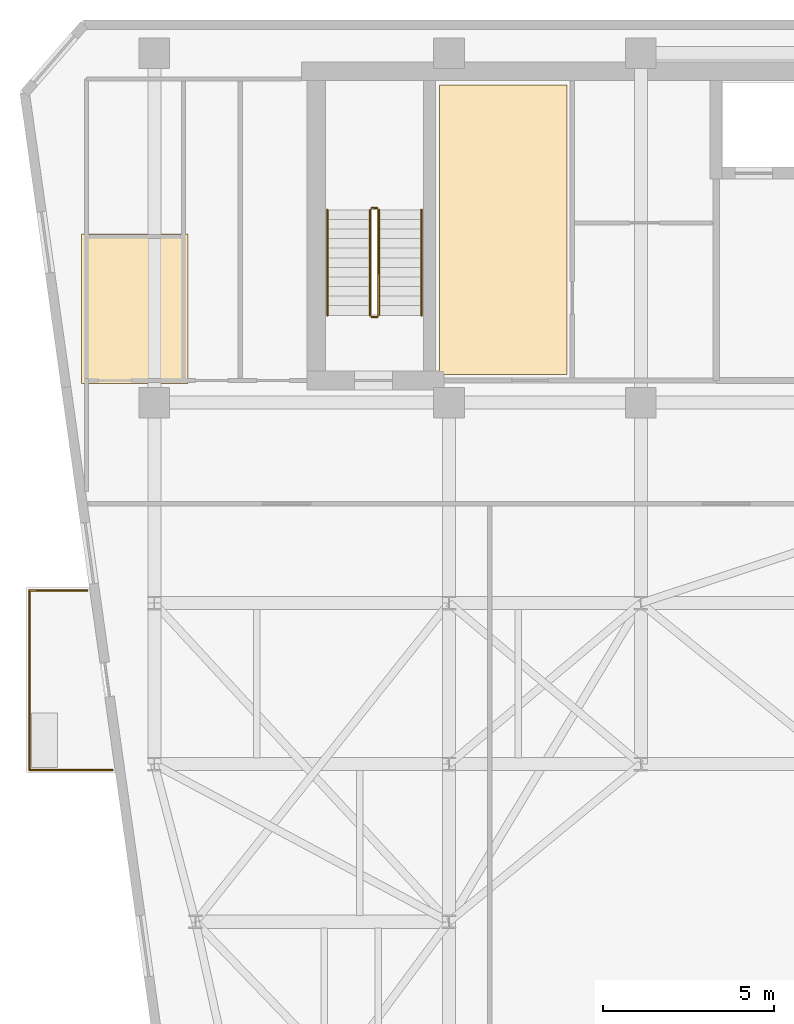
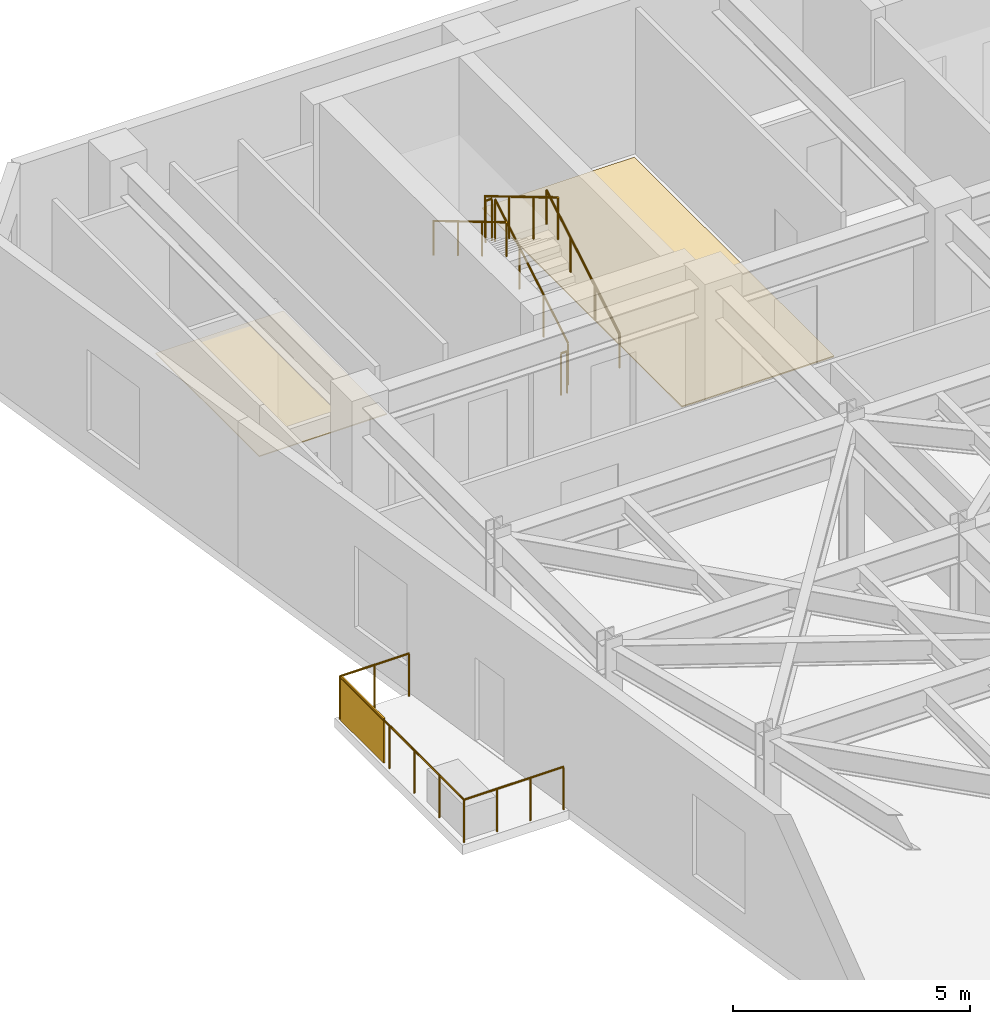
# One storey, part 19 of 21: 9 railings, 2 coverings, 1 shading device.
"""IFC4 building model written with IfcOpenShell, lengths in metres."""

from ifc_helpers import new_model, si_unit, direction, frame, origin, origin_2d, place, context, subcontext, project, spatial, polyline, rectangle, circle, outline, extrude, material, layer, layer_set, type_object, element, save


model = new_model("IFC4")

# Units and contexts
model_context = context("Model", 3, precision=1e-05, world=origin(), true_north=direction((0.0, 1.0)))
body_context = subcontext(model_context, "Body", "Model", "MODEL_VIEW")
ifc_project = project(units=[si_unit("LENGTHUNIT", "METRE"), si_unit("AREAUNIT", "SQUARE_METRE"), si_unit("VOLUMEUNIT", "CUBIC_METRE"), si_unit("PLANEANGLEUNIT", "RADIAN"), si_unit("MASSUNIT", "GRAM", prefix="KILO")], contexts=[model_context])

# Site, building, storey
site_placement = place(None, origin())
site = spatial("IfcSite", under=ifc_project, at=site_placement, CompositionType="ELEMENT")
building_placement = place(site_placement, origin())
building = spatial("IfcBuilding", under=site, at=building_placement, Name="Kravanh Interchange Tower", CompositionType="ELEMENT")
storey_placement = place(building_placement, frame((0.0, 0.0, 200.5)))
storey = spatial("IfcBuildingStorey", under=building, at=storey_placement, Name="L48", CompositionType="ELEMENT", Elevation=200.5)

# Coverings
ifc_material_1 = material(Name="Cementitious Terrazzo Tile")
ifc_layer_1 = layer(ifc_material_1, 0.030029296875)
ifc_layer_set_1 = layer_set([ifc_layer_1], Name="Honed Terrazzo Lobby Flooring 30mm")
covering_type_1 = type_object("IfcCoveringType", Name="Honed Terrazzo Lobby Flooring 30mm", PredefinedType="FLOORING", material=ifc_layer_set_1)
covering_1_placement = place(storey_placement, origin())
element("IfcCovering", 1, at=covering_1_placement, inside=storey, type_object=covering_type_1, Name="L48 Staff Break and Coffee Room Floor Finish", PredefinedType="FLOORING", context=body_context, shape_type="SweptSolid", body=[
    extrude(outline(polyline([(26.929931640625, 46.6201171875), (30.639892578125, 46.6201171875), (30.639892578125, 38.179931640625), (26.929931640625, 38.179931640625), (26.929931640625, 46.6201171875)])), origin(), (0.0, 0.0, 1.0), 0.030029296875),
])
ifc_material_2 = material(Name="Acoustic Mineral Fibre Tile on Aluminium Grid", Category="aluminium")
ifc_layer_2 = layer(ifc_material_2, 0.02490234375)
ifc_layer_set_2 = layer_set([ifc_layer_2], Name="Perforated Acoustic Mineral Ceiling 25mm")
covering_type_2 = type_object("IfcCoveringType", Name="Perforated Acoustic Mineral Ceiling 25mm", PredefinedType="CEILING", material=ifc_layer_set_2)
covering_2_placement = place(storey_placement, frame((0.0, 0.0, 2.550048828125)))
element("IfcCovering", 2, at=covering_2_placement, inside=storey, type_object=covering_type_2, Name="L48 Accessible WC Suspended Ceiling", PredefinedType="CEILING", context=body_context, shape_type="SweptSolid", body=[
    extrude(outline(polyline([(19.590087890625, 42.280029296875), (19.590087890625, 37.909912109375), (16.47998046875, 37.909912109375), (16.47998046875, 42.280029296875), (19.590087890625, 42.280029296875)])), origin(), (0.0, 0.0, 1.0), 0.02490234375),
])

# Shading device
ifc_material_3 = material(Name="Perforated Anodised Bronze Aluminium", Category="aluminium")
ifc_layer_3 = layer(ifc_material_3, 0.0400390625)
ifc_layer_set_3 = layer_set([ifc_layer_3], Name="Perforated Bronze Balcony Privacy Screen 1150mm")
shading_device_type = type_object("IfcShadingDeviceType", Name="Perforated Bronze Balcony Privacy Screen 1150mm", PredefinedType="USERDEFINED", material=ifc_layer_set_3)
shading_device_placement = place(storey_placement, frame((14.9560546875, 30.89990234375, 0.0), z_axis=(0.0, 0.0, 1.0), x_axis=(1.0, 0.0, 0.0)))
element("IfcShadingDevice", 3, at=shading_device_placement, inside=storey, type_object=shading_device_type, Name="L48 W Perforated Bronze BALCONY SCREEN", ObjectType="SCREEN", PredefinedType="USERDEFINED", context=body_context, shape_type="SweptSolid", body=[
    extrude(rectangle(XDim=0.0400390625, YDim=1.800048828125, at=origin_2d()), origin(), (0.0, 0.0, 1.0), 1.14990234375),
])

# Railings
ifc_material_4 = material(Name="Stainless Steel 316", Category="steel")
ifc_layer_4 = layer(ifc_material_4, 0.06005859375)
ifc_layer_set_4 = layer_set([ifc_layer_4], Name="Perimeter Balcony and Terrace Guardrail Stainless 316 1120mm")
railing_type_1 = type_object("IfcRailingType", Name="Perimeter Balcony and Terrace Guardrail Stainless 316 1120mm", PredefinedType="GUARDRAIL", material=ifc_layer_set_4)
railing_1_placement = place(storey_placement, frame((14.9560546875, 26.6298828125, 0.0)))
element("IfcRailing", 4, at=railing_1_placement, inside=storey, type_object=railing_type_1, Name="L48 W Balcony Guardrail 1", PredefinedType="GUARDRAIL", context=body_context, shape_type="SweptSolid", body=[
    extrude(circle(Radius=0.02392578125, at=origin_2d()), frame((0.0, 0.0, 1.09619140625), z_axis=(0.0, 1.0, 0.0), x_axis=(-1.0, 0.0, 0.0)), (0.0, 0.0, 1.0), 5.240234375),
    extrude(circle(Radius=0.02099609375, at=origin_2d()), origin(), (0.0, 0.0, 1.0), 1.072021484375),
    extrude(circle(Radius=0.02099609375, at=origin_2d()), frame((0.0, 1.048095703125, 0.0)), (0.0, 0.0, 1.0), 1.072021484375),
    extrude(circle(Radius=0.02099609375, at=origin_2d()), frame((0.0, 2.09619140625, 0.0)), (0.0, 0.0, 1.0), 1.072021484375),
    extrude(circle(Radius=0.02099609375, at=origin_2d()), frame((0.0, 3.14404296875, 0.0)), (0.0, 0.0, 1.0), 1.072021484375),
    extrude(circle(Radius=0.02099609375, at=origin_2d()), frame((0.0, 4.192138671875, 0.0)), (0.0, 0.0, 1.0), 1.072021484375),
    extrude(circle(Radius=0.02099609375, at=origin_2d()), frame((0.0, 5.240234375, 0.0)), (0.0, 0.0, 1.0), 1.072021484375),
])
railing_2_placement = place(storey_placement, frame((14.9560546875, 31.8701171875, 0.0)))
element("IfcRailing", 5, at=railing_2_placement, inside=storey, type_object=railing_type_1, Name="L48 W Balcony Guardrail 2", PredefinedType="GUARDRAIL", context=body_context, shape_type="SweptSolid", body=[
    extrude(circle(Radius=0.02392578125, at=origin_2d()), frame((0.0, 0.0, 1.09619140625), z_axis=(1.0, 0.0, 0.0), x_axis=(0.0, 1.0, 0.0)), (0.0, 0.0, 1.0), 1.685302734375),
    extrude(circle(Radius=0.02099609375, at=origin_2d()), origin(), (0.0, 0.0, 1.0), 1.072021484375),
    extrude(circle(Radius=0.02099609375, at=origin_2d()), frame((0.8427734375, 0.0, 0.0)), (0.0, 0.0, 1.0), 1.072021484375),
    extrude(circle(Radius=0.02099609375, at=origin_2d()), frame((1.685302734375, 0.0, 0.0)), (0.0, 0.0, 1.0), 1.072021484375),
])
railing_3_placement = place(storey_placement, frame((17.377685546875, 26.6298828125, 0.0)))
element("IfcRailing", 6, at=railing_3_placement, inside=storey, type_object=railing_type_1, Name="L48 W Balcony Guardrail 3", PredefinedType="GUARDRAIL", context=body_context, shape_type="SweptSolid", body=[
    extrude(circle(Radius=0.02392578125, at=origin_2d()), frame((0.0, 0.0, 1.09619140625), z_axis=(-1.0, 0.0, 0.0), x_axis=(0.0, -1.0, 0.0)), (0.0, 0.0, 1.0), 2.421630859375),
    extrude(circle(Radius=0.02099609375, at=origin_2d()), origin(), (0.0, 0.0, 1.0), 1.072021484375),
    extrude(circle(Radius=0.02099609375, at=origin_2d()), frame((-0.80712890625, 0.0, 0.0)), (0.0, 0.0, 1.0), 1.072021484375),
    extrude(circle(Radius=0.02099609375, at=origin_2d()), frame((-1.614501953125, 0.0, 0.0)), (0.0, 0.0, 1.0), 1.072021484375),
    extrude(circle(Radius=0.02099609375, at=origin_2d()), frame((-2.421630859375, 0.0, 0.0)), (0.0, 0.0, 1.0), 1.072021484375),
])
ifc_material_5 = material(Name="Structural Steel S355", Category="steel")
ifc_layer_5 = layer(ifc_material_5, 0.050048828125)
ifc_layer_set_5 = layer_set([ifc_layer_5], Name="Stair Well Guardrail Structural Steel S355 1100mm")
railing_type_2 = type_object("IfcRailingType", Name="Stair Well Guardrail Structural Steel S355 1100mm", PredefinedType="GUARDRAIL", material=ifc_layer_set_5)
railing_4_placement = place(storey_placement, frame((25.14990234375, 39.89990234375, 0.166748046875)))
element("IfcRailing", 7, at=railing_4_placement, inside=storey, type_object=railing_type_2, Name="L48 ST3 stair guard 1", PredefinedType="GUARDRAIL", context=body_context, shape_type="SweptSolid", body=[
    extrude(circle(Radius=0.02392578125, at=origin_2d()), frame((0.0, 0.0, 1.076171875), z_axis=(0.0, 0.859308565015, 0.511457515432), x_axis=(-1.0, 0.0, 0.0)), (0.0, 0.0, 1.0), 3.58447265625),
    extrude(circle(Radius=0.02099609375, at=origin_2d()), origin(), (0.0, 0.0, 1.0), 1.052001953125),
    extrude(circle(Radius=0.02099609375, at=origin_2d()), frame((0.0, 1.026611328125, 0.611083984375)), (0.0, 0.0, 1.0), 1.052001953125),
    extrude(circle(Radius=0.02099609375, at=origin_2d()), frame((0.0, 2.053466796875, 1.22216796875)), (0.0, 0.0, 1.0), 1.052001953125),
    extrude(circle(Radius=0.02099609375, at=origin_2d()), frame((0.0, 3.080078125, 1.833251953125)), (0.0, 0.0, 1.0), 1.052001953125),
])
railing_5_placement = place(storey_placement, frame((25.10009765625, 43.030029296875, 2.0)))
element("IfcRailing", 8, at=railing_5_placement, inside=storey, type_object=railing_type_2, Name="L48 ST3 stair guard 2", PredefinedType="GUARDRAIL", context=body_context, shape_type="SweptSolid", body=[
    extrude(circle(Radius=0.02392578125, at=origin_2d()), frame((0.0, 0.0, 1.076171875), z_axis=(-1.0, 0.0, 0.0), x_axis=(0.0, -1.0, 0.0)), (0.0, 0.0, 1.0), 0.150146484375),
    extrude(circle(Radius=0.02099609375, at=origin_2d()), origin(), (0.0, 0.0, 1.0), 1.052001953125),
    extrude(circle(Radius=0.02099609375, at=origin_2d()), frame((-0.150146484375, 0.0, 0.0)), (0.0, 0.0, 1.0), 1.052001953125),
])
railing_6_placement = place(storey_placement, frame((24.89990234375, 42.97998046875, 2.166748046875)))
element("IfcRailing", 9, at=railing_6_placement, inside=storey, type_object=railing_type_2, Name="L48 ST3 stair guard 3", PredefinedType="GUARDRAIL", context=body_context, shape_type="SweptSolid", body=[
    extrude(circle(Radius=0.02392578125, at=origin_2d()), frame((0.0, 0.0, 1.076171875), z_axis=(0.0, -0.859308565015, 0.511457515432), x_axis=(1.0, 0.0, 0.0)), (0.0, 0.0, 1.0), 3.58447265625),
    extrude(circle(Radius=0.02099609375, at=origin_2d()), origin(), (0.0, 0.0, 1.0), 1.052001953125),
    extrude(circle(Radius=0.02099609375, at=origin_2d()), frame((0.0, -1.026611328125, 0.611083984375)), (0.0, 0.0, 1.0), 1.052001953125),
    extrude(circle(Radius=0.02099609375, at=origin_2d()), frame((0.0, -2.053466796875, 1.22216796875)), (0.0, 0.0, 1.0), 1.052001953125),
    extrude(circle(Radius=0.02099609375, at=origin_2d()), frame((0.0, -3.080078125, 1.833251953125)), (0.0, 0.0, 1.0), 1.052001953125),
])
railing_7_placement = place(storey_placement, frame((25.10009765625, 39.85009765625, 0.0)))
element("IfcRailing", 10, at=railing_7_placement, inside=storey, type_object=railing_type_2, Name="L48 ST3 stair guard 4", PredefinedType="GUARDRAIL", context=body_context, shape_type="SweptSolid", body=[
    extrude(circle(Radius=0.02392578125, at=origin_2d()), frame((0.0, 0.0, 1.076171875), z_axis=(-1.0, 0.0, 0.0), x_axis=(0.0, -1.0, 0.0)), (0.0, 0.0, 1.0), 0.150146484375),
    extrude(circle(Radius=0.02099609375, at=origin_2d()), origin(), (0.0, 0.0, 1.0), 1.052001953125),
    extrude(circle(Radius=0.02099609375, at=origin_2d()), frame((-0.150146484375, 0.0, 0.0)), (0.0, 0.0, 1.0), 1.052001953125),
])
ifc_material_6 = material(Name="Stainless Steel 304", Category="steel")
ifc_layer_6 = layer(ifc_material_6, 0.044921875)
ifc_layer_set_6 = layer_set([ifc_layer_6], Name="Tubular Stair Handrail Stainless 304 900mm")
railing_type_3 = type_object("IfcRailingType", Name="Tubular Stair Handrail Stainless 304 900mm", PredefinedType="HANDRAIL", material=ifc_layer_set_6)
railing_8_placement = place(storey_placement, frame((26.39990234375, 39.89990234375, 0.166748046875)))
element("IfcRailing", 11, at=railing_8_placement, inside=storey, type_object=railing_type_3, Name="L48 ST3 stair handrail 1", PredefinedType="HANDRAIL", context=body_context, shape_type="SweptSolid", body=[
    extrude(circle(Radius=0.02392578125, at=origin_2d()), frame((0.0, 0.0, 0.8759765625), z_axis=(0.0, 0.859308565015, 0.511457515432), x_axis=(-1.0, 0.0, 0.0)), (0.0, 0.0, 1.0), 3.58447265625),
    extrude(circle(Radius=0.02099609375, at=origin_2d()), origin(), (0.0, 0.0, 1.0), 0.851806640625),
    extrude(circle(Radius=0.02099609375, at=origin_2d()), frame((0.0, 1.026611328125, 0.611083984375)), (0.0, 0.0, 1.0), 0.851806640625),
    extrude(circle(Radius=0.02099609375, at=origin_2d()), frame((0.0, 2.053466796875, 1.22216796875)), (0.0, 0.0, 1.0), 0.851806640625),
    extrude(circle(Radius=0.02099609375, at=origin_2d()), frame((0.0, 3.080078125, 1.833251953125)), (0.0, 0.0, 1.0), 0.851806640625),
])
railing_9_placement = place(storey_placement, frame((23.64990234375, 42.97998046875, 2.166748046875)))
element("IfcRailing", 12, at=railing_9_placement, inside=storey, type_object=railing_type_3, Name="L48 ST3 stair handrail 2", PredefinedType="HANDRAIL", context=body_context, shape_type="SweptSolid", body=[
    extrude(circle(Radius=0.02392578125, at=origin_2d()), frame((0.0, 0.0, 0.8759765625), z_axis=(0.0, -0.859308565015, 0.511457515432), x_axis=(1.0, 0.0, 0.0)), (0.0, 0.0, 1.0), 3.58447265625),
    extrude(circle(Radius=0.02099609375, at=origin_2d()), origin(), (0.0, 0.0, 1.0), 0.851806640625),
    extrude(circle(Radius=0.02099609375, at=origin_2d()), frame((0.0, -1.026611328125, 0.611083984375)), (0.0, 0.0, 1.0), 0.851806640625),
    extrude(circle(Radius=0.02099609375, at=origin_2d()), frame((0.0, -2.053466796875, 1.22216796875)), (0.0, 0.0, 1.0), 0.851806640625),
    extrude(circle(Radius=0.02099609375, at=origin_2d()), frame((0.0, -3.080078125, 1.833251953125)), (0.0, 0.0, 1.0), 0.851806640625),
])

save(model, "model.ifc")
